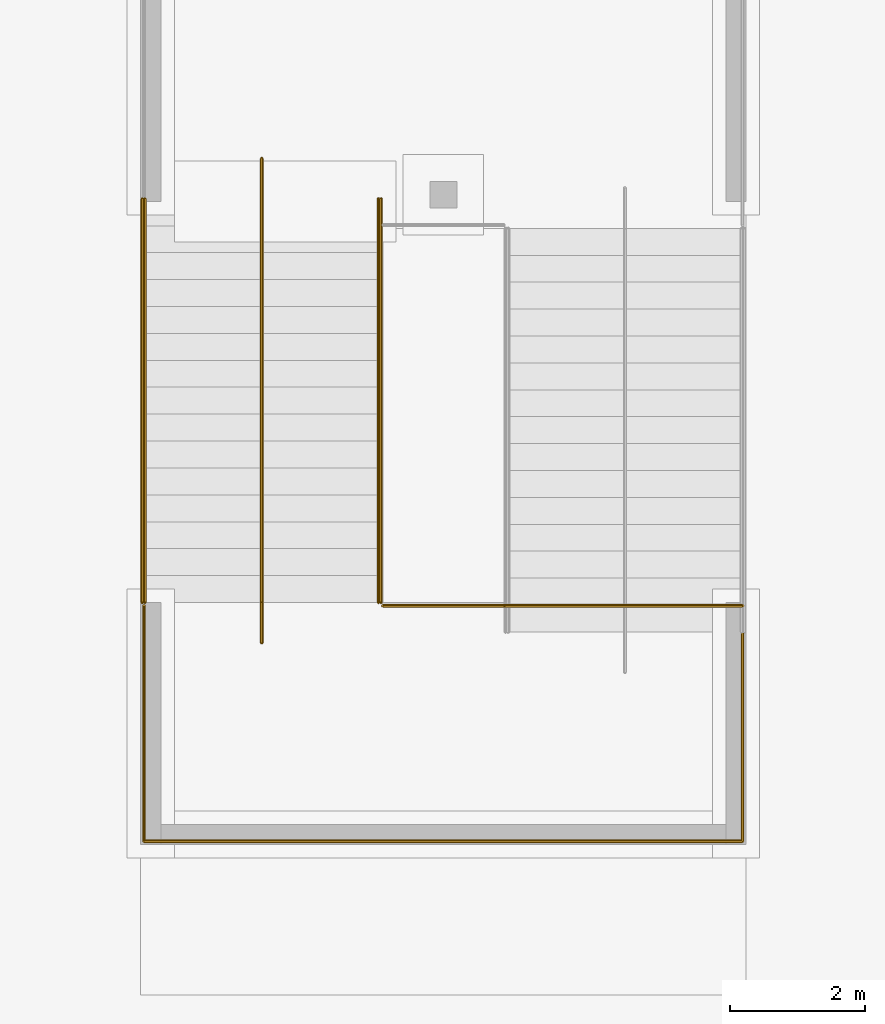
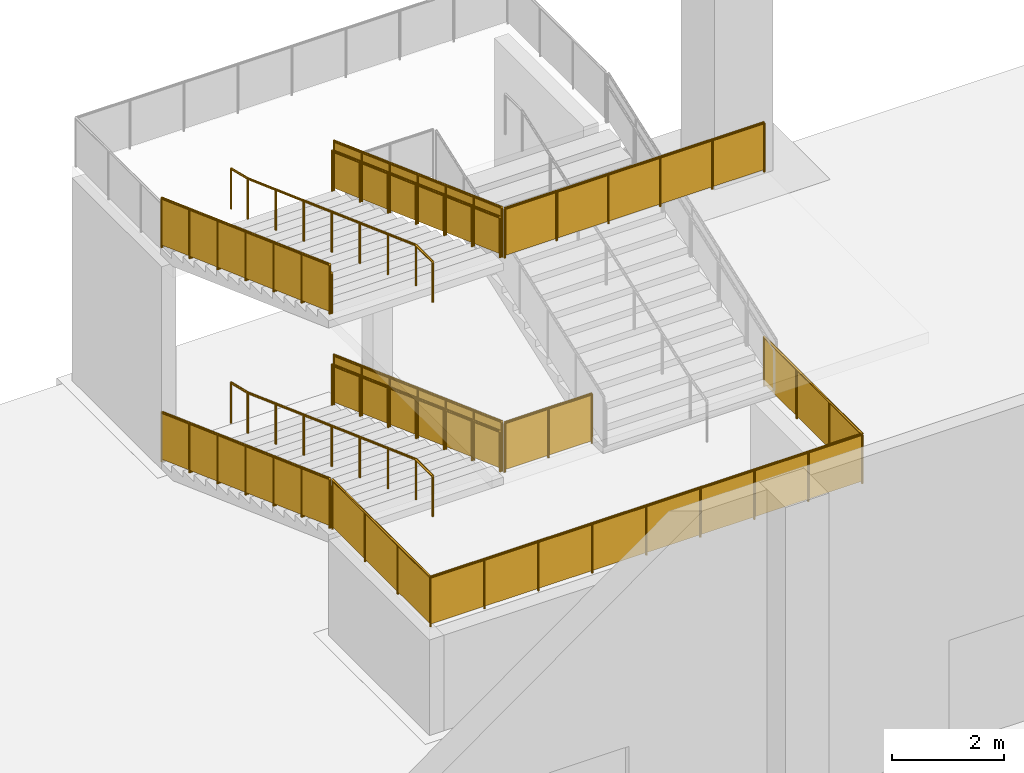
# One storey, part 84 of 92: 13 railings.
"""IFC4 building model written with IfcOpenShell, lengths in metres."""

from ifc_helpers import new_model, si_unit, direction, frame, origin, origin_2d, place, context, subcontext, project, spatial, polyline, circle, outline, extrude, material, type_object, element, save


model = new_model("IFC4")

# Units and contexts
model_context = context("Model", 3, precision=1e-05, world=origin(), true_north=direction((0.0, 1.0)))
body_context = subcontext(model_context, "Body", "Model", "MODEL_VIEW")
ifc_project = project(units=[si_unit("LENGTHUNIT", "METRE"), si_unit("AREAUNIT", "SQUARE_METRE"), si_unit("VOLUMEUNIT", "CUBIC_METRE"), si_unit("PLANEANGLEUNIT", "RADIAN"), si_unit("MASSUNIT", "GRAM", prefix="KILO")], contexts=[model_context])

# Site, building, storey
site_placement = place(None, origin())
site = spatial("IfcSite", under=ifc_project, at=site_placement, CompositionType="ELEMENT")
building_placement = place(site_placement, origin())
building = spatial("IfcBuilding", under=site, at=building_placement, Name="Silverbay Arena", CompositionType="ELEMENT")
storey_placement = place(building_placement, origin())
storey = spatial("IfcBuildingStorey", under=building, at=storey_placement, Name="L00", CompositionType="ELEMENT", Elevation=0.0)

# Railings
ifc_material_1 = material(Name="Stainless steel", Category="steel")
railing_type_1 = type_object("IfcRailingType", Name="Stair guard 1100", PredefinedType="GUARDRAIL", material=ifc_material_1)
railing_1_placement = place(storey_placement, frame((40.52490234375, 158.837890625, 0.145751953125)))
element("IfcRailing", 1, at=railing_1_placement, inside=storey, type_object=railing_type_1, Name="Deck stair DS4 flight 1 guard left", PredefinedType="GUARDRAIL", context=body_context, shape_type="SweptSolid", body=[
    extrude(circle(Radius=0.02392578125, at=origin_2d()), frame((0.0, 0.0, 1.076171875), z_axis=(0.0, -0.939507356738, 0.342528723811), x_axis=(1.0, 0.0, 0.0)), (0.0, 0.0, 1.0), 6.38623046875),
    extrude(outline(polyline([(-0.008056640625, 0.047119140625), (1.008056640625, 0.41748046875), (1.008056640625, 1.42041015625), (-0.008056640625, 1.050048828125), (-0.008056640625, 0.047119140625)])), frame((0.0029296875, 0.0, 0.0), z_axis=(-1.0, 0.0, 0.0), x_axis=(0.0, -1.0, 0.0)), (0.0, 0.0, 1.0), 0.006103515625),
    extrude(outline(polyline([(-0.008056640625, 0.41162109375), (1.008056640625, 0.781982421875), (1.008056640625, 1.78515625), (-0.008056640625, 1.41455078125), (-0.008056640625, 0.41162109375)])), frame((0.0029296875, -1.0, 0.0), z_axis=(-1.0, 0.0, 0.0), x_axis=(0.0, -1.0, 0.0)), (0.0, 0.0, 1.0), 0.006103515625),
    extrude(outline(polyline([(-0.008056640625, 0.7763671875), (1.008056640625, 1.146728515625), (1.008056640625, 2.149658203125), (-0.008056640625, 1.779296875), (-0.008056640625, 0.7763671875)])), frame((0.0029296875, -2.0, 0.0), z_axis=(-1.0, 0.0, 0.0), x_axis=(0.0, -1.0, 0.0)), (0.0, 0.0, 1.0), 0.006103515625),
    extrude(outline(polyline([(-0.008056640625, 1.140869140625), (1.008056640625, 1.51123046875), (1.008056640625, 2.51416015625), (-0.008056640625, 2.143798828125), (-0.008056640625, 1.140869140625)])), frame((0.0029296875, -3.0, 0.0), z_axis=(-1.0, 0.0, 0.0), x_axis=(0.0, -1.0, 0.0)), (0.0, 0.0, 1.0), 0.006103515625),
    extrude(outline(polyline([(-0.008056640625, 1.50537109375), (1.008056640625, 1.875732421875), (1.008056640625, 2.87890625), (-0.008056640625, 2.50830078125), (-0.008056640625, 1.50537109375)])), frame((0.0029296875, -4.0, 0.0), z_axis=(-1.0, 0.0, 0.0), x_axis=(0.0, -1.0, 0.0)), (0.0, 0.0, 1.0), 0.006103515625),
    extrude(outline(polyline([(-0.008056640625, 1.8701171875), (1.008056640625, 2.240478515625), (1.008056640625, 3.243408203125), (-0.008056640625, 2.873046875), (-0.008056640625, 1.8701171875)])), frame((0.0029296875, -5.0, 0.0), z_axis=(-1.0, 0.0, 0.0), x_axis=(0.0, -1.0, 0.0)), (0.0, 0.0, 1.0), 0.006103515625),
    extrude(circle(Radius=0.02099609375, at=origin_2d()), origin(), (0.0, 0.0, 1.0), 1.052001953125),
    extrude(circle(Radius=0.02099609375, at=origin_2d()), frame((0.0, -1.0, 0.364501953125)), (0.0, 0.0, 1.0), 1.052001953125),
    extrude(circle(Radius=0.02099609375, at=origin_2d()), frame((0.0, -2.0, 0.729248046875)), (0.0, 0.0, 1.0), 1.052001953125),
    extrude(circle(Radius=0.02099609375, at=origin_2d()), frame((0.0, -3.0, 1.09375)), (0.0, 0.0, 1.0), 1.052001953125),
    extrude(circle(Radius=0.02099609375, at=origin_2d()), frame((0.0, -4.0, 1.458251953125)), (0.0, 0.0, 1.0), 1.052001953125),
    extrude(circle(Radius=0.02099609375, at=origin_2d()), frame((0.0, -5.0, 1.822998046875)), (0.0, 0.0, 1.0), 1.052001953125),
    extrude(circle(Radius=0.02099609375, at=origin_2d()), frame((0.0, -6.0, 2.1875)), (0.0, 0.0, 1.0), 1.052001953125),
])
railing_2_placement = place(storey_placement, frame((44.074951171875, 158.837890625, 0.145751953125)))
element("IfcRailing", 2, at=railing_2_placement, inside=storey, type_object=railing_type_1, Name="Deck stair DS4 flight 1 guard right", PredefinedType="GUARDRAIL", context=body_context, shape_type="SweptSolid", body=[
    extrude(circle(Radius=0.02392578125, at=origin_2d()), frame((0.0, 0.0, 1.076171875), z_axis=(0.0, -0.939507356738, 0.342528723811), x_axis=(1.0, 0.0, 0.0)), (0.0, 0.0, 1.0), 6.38623046875),
    extrude(outline(polyline([(-0.008056640625, 0.047119140625), (1.008056640625, 0.41748046875), (1.008056640625, 1.42041015625), (-0.008056640625, 1.050048828125), (-0.008056640625, 0.047119140625)])), frame((0.0029296875, 0.0, 0.0), z_axis=(-1.0, 0.0, 0.0), x_axis=(0.0, -1.0, 0.0)), (0.0, 0.0, 1.0), 0.006103515625),
    extrude(outline(polyline([(-0.008056640625, 0.41162109375), (1.008056640625, 0.781982421875), (1.008056640625, 1.78515625), (-0.008056640625, 1.41455078125), (-0.008056640625, 0.41162109375)])), frame((0.0029296875, -1.0, 0.0), z_axis=(-1.0, 0.0, 0.0), x_axis=(0.0, -1.0, 0.0)), (0.0, 0.0, 1.0), 0.006103515625),
    extrude(outline(polyline([(-0.008056640625, 0.7763671875), (1.008056640625, 1.146728515625), (1.008056640625, 2.149658203125), (-0.008056640625, 1.779296875), (-0.008056640625, 0.7763671875)])), frame((0.0029296875, -2.0, 0.0), z_axis=(-1.0, 0.0, 0.0), x_axis=(0.0, -1.0, 0.0)), (0.0, 0.0, 1.0), 0.006103515625),
    extrude(outline(polyline([(-0.008056640625, 1.140869140625), (1.008056640625, 1.51123046875), (1.008056640625, 2.51416015625), (-0.008056640625, 2.143798828125), (-0.008056640625, 1.140869140625)])), frame((0.0029296875, -3.0, 0.0), z_axis=(-1.0, 0.0, 0.0), x_axis=(0.0, -1.0, 0.0)), (0.0, 0.0, 1.0), 0.006103515625),
    extrude(outline(polyline([(-0.008056640625, 1.50537109375), (1.008056640625, 1.875732421875), (1.008056640625, 2.87890625), (-0.008056640625, 2.50830078125), (-0.008056640625, 1.50537109375)])), frame((0.0029296875, -4.0, 0.0), z_axis=(-1.0, 0.0, 0.0), x_axis=(0.0, -1.0, 0.0)), (0.0, 0.0, 1.0), 0.006103515625),
    extrude(outline(polyline([(-0.008056640625, 1.8701171875), (1.008056640625, 2.240478515625), (1.008056640625, 3.243408203125), (-0.008056640625, 2.873046875), (-0.008056640625, 1.8701171875)])), frame((0.0029296875, -5.0, 0.0), z_axis=(-1.0, 0.0, 0.0), x_axis=(0.0, -1.0, 0.0)), (0.0, 0.0, 1.0), 0.006103515625),
    extrude(circle(Radius=0.02099609375, at=origin_2d()), origin(), (0.0, 0.0, 1.0), 1.052001953125),
    extrude(circle(Radius=0.02099609375, at=origin_2d()), frame((0.0, -1.0, 0.364501953125)), (0.0, 0.0, 1.0), 1.052001953125),
    extrude(circle(Radius=0.02099609375, at=origin_2d()), frame((0.0, -2.0, 0.729248046875)), (0.0, 0.0, 1.0), 1.052001953125),
    extrude(circle(Radius=0.02099609375, at=origin_2d()), frame((0.0, -3.0, 1.09375)), (0.0, 0.0, 1.0), 1.052001953125),
    extrude(circle(Radius=0.02099609375, at=origin_2d()), frame((0.0, -4.0, 1.458251953125)), (0.0, 0.0, 1.0), 1.052001953125),
    extrude(circle(Radius=0.02099609375, at=origin_2d()), frame((0.0, -5.0, 1.822998046875)), (0.0, 0.0, 1.0), 1.052001953125),
    extrude(circle(Radius=0.02099609375, at=origin_2d()), frame((0.0, -6.0, 2.1875)), (0.0, 0.0, 1.0), 1.052001953125),
])
railing_3_placement = place(storey_placement, frame((40.52490234375, 158.837890625, 4.8125)))
element("IfcRailing", 3, at=railing_3_placement, inside=storey, type_object=railing_type_1, Name="Deck stair DS4 flight 3 guard left", PredefinedType="GUARDRAIL", context=body_context, shape_type="SweptSolid", body=[
    extrude(circle(Radius=0.02392578125, at=origin_2d()), frame((0.0, 0.0, 1.076171875), z_axis=(0.0, -0.939507356738, 0.342528723811), x_axis=(1.0, 0.0, 0.0)), (0.0, 0.0, 1.0), 6.38623046875),
    extrude(outline(polyline([(-0.008056640625, 0.047119140625), (1.008056640625, 0.41748046875), (1.008056640625, 1.42041015625), (-0.008056640625, 1.050048828125), (-0.008056640625, 0.047119140625)])), frame((0.0029296875, 0.0, 0.0), z_axis=(-1.0, 0.0, 0.0), x_axis=(0.0, -1.0, 0.0)), (0.0, 0.0, 1.0), 0.006103515625),
    extrude(outline(polyline([(-0.008056640625, 0.41162109375), (1.008056640625, 0.781982421875), (1.008056640625, 1.78515625), (-0.008056640625, 1.41455078125), (-0.008056640625, 0.41162109375)])), frame((0.0029296875, -1.0, 0.0), z_axis=(-1.0, 0.0, 0.0), x_axis=(0.0, -1.0, 0.0)), (0.0, 0.0, 1.0), 0.006103515625),
    extrude(outline(polyline([(-0.008056640625, 0.7763671875), (1.008056640625, 1.146728515625), (1.008056640625, 2.149658203125), (-0.008056640625, 1.779296875), (-0.008056640625, 0.7763671875)])), frame((0.0029296875, -2.0, 0.0), z_axis=(-1.0, 0.0, 0.0), x_axis=(0.0, -1.0, 0.0)), (0.0, 0.0, 1.0), 0.006103515625),
    extrude(outline(polyline([(-0.008056640625, 1.140869140625), (1.008056640625, 1.51123046875), (1.008056640625, 2.51416015625), (-0.008056640625, 2.143798828125), (-0.008056640625, 1.140869140625)])), frame((0.0029296875, -3.0, 0.0), z_axis=(-1.0, 0.0, 0.0), x_axis=(0.0, -1.0, 0.0)), (0.0, 0.0, 1.0), 0.006103515625),
    extrude(outline(polyline([(-0.008056640625, 1.50537109375), (1.008056640625, 1.875732421875), (1.008056640625, 2.87890625), (-0.008056640625, 2.50830078125), (-0.008056640625, 1.50537109375)])), frame((0.0029296875, -4.0, 0.0), z_axis=(-1.0, 0.0, 0.0), x_axis=(0.0, -1.0, 0.0)), (0.0, 0.0, 1.0), 0.006103515625),
    extrude(outline(polyline([(-0.008056640625, 1.8701171875), (1.008056640625, 2.240478515625), (1.008056640625, 3.243408203125), (-0.008056640625, 2.873046875), (-0.008056640625, 1.8701171875)])), frame((0.0029296875, -5.0, 0.0), z_axis=(-1.0, 0.0, 0.0), x_axis=(0.0, -1.0, 0.0)), (0.0, 0.0, 1.0), 0.006103515625),
    extrude(circle(Radius=0.02099609375, at=origin_2d()), origin(), (0.0, 0.0, 1.0), 1.052001953125),
    extrude(circle(Radius=0.02099609375, at=origin_2d()), frame((0.0, -1.0, 0.364501953125)), (0.0, 0.0, 1.0), 1.052001953125),
    extrude(circle(Radius=0.02099609375, at=origin_2d()), frame((0.0, -2.0, 0.729248046875)), (0.0, 0.0, 1.0), 1.052001953125),
    extrude(circle(Radius=0.02099609375, at=origin_2d()), frame((0.0, -3.0, 1.09375)), (0.0, 0.0, 1.0), 1.052001953125),
    extrude(circle(Radius=0.02099609375, at=origin_2d()), frame((0.0, -4.0, 1.458251953125)), (0.0, 0.0, 1.0), 1.052001953125),
    extrude(circle(Radius=0.02099609375, at=origin_2d()), frame((0.0, -5.0, 1.822998046875)), (0.0, 0.0, 1.0), 1.052001953125),
    extrude(circle(Radius=0.02099609375, at=origin_2d()), frame((0.0, -6.0, 2.1875)), (0.0, 0.0, 1.0), 1.052001953125),
])
railing_4_placement = place(storey_placement, frame((44.074951171875, 158.837890625, 4.8125)))
element("IfcRailing", 4, at=railing_4_placement, inside=storey, type_object=railing_type_1, Name="Deck stair DS4 flight 3 guard right", PredefinedType="GUARDRAIL", context=body_context, shape_type="SweptSolid", body=[
    extrude(circle(Radius=0.02392578125, at=origin_2d()), frame((0.0, 0.0, 1.076171875), z_axis=(0.0, -0.939507356738, 0.342528723811), x_axis=(1.0, 0.0, 0.0)), (0.0, 0.0, 1.0), 6.38623046875),
    extrude(outline(polyline([(-0.008056640625, 0.047119140625), (1.008056640625, 0.41748046875), (1.008056640625, 1.42041015625), (-0.008056640625, 1.050048828125), (-0.008056640625, 0.047119140625)])), frame((0.0029296875, 0.0, 0.0), z_axis=(-1.0, 0.0, 0.0), x_axis=(0.0, -1.0, 0.0)), (0.0, 0.0, 1.0), 0.006103515625),
    extrude(outline(polyline([(-0.008056640625, 0.41162109375), (1.008056640625, 0.781982421875), (1.008056640625, 1.78515625), (-0.008056640625, 1.41455078125), (-0.008056640625, 0.41162109375)])), frame((0.0029296875, -1.0, 0.0), z_axis=(-1.0, 0.0, 0.0), x_axis=(0.0, -1.0, 0.0)), (0.0, 0.0, 1.0), 0.006103515625),
    extrude(outline(polyline([(-0.008056640625, 0.7763671875), (1.008056640625, 1.146728515625), (1.008056640625, 2.149658203125), (-0.008056640625, 1.779296875), (-0.008056640625, 0.7763671875)])), frame((0.0029296875, -2.0, 0.0), z_axis=(-1.0, 0.0, 0.0), x_axis=(0.0, -1.0, 0.0)), (0.0, 0.0, 1.0), 0.006103515625),
    extrude(outline(polyline([(-0.008056640625, 1.140869140625), (1.008056640625, 1.51123046875), (1.008056640625, 2.51416015625), (-0.008056640625, 2.143798828125), (-0.008056640625, 1.140869140625)])), frame((0.0029296875, -3.0, 0.0), z_axis=(-1.0, 0.0, 0.0), x_axis=(0.0, -1.0, 0.0)), (0.0, 0.0, 1.0), 0.006103515625),
    extrude(outline(polyline([(-0.008056640625, 1.50537109375), (1.008056640625, 1.875732421875), (1.008056640625, 2.87890625), (-0.008056640625, 2.50830078125), (-0.008056640625, 1.50537109375)])), frame((0.0029296875, -4.0, 0.0), z_axis=(-1.0, 0.0, 0.0), x_axis=(0.0, -1.0, 0.0)), (0.0, 0.0, 1.0), 0.006103515625),
    extrude(outline(polyline([(-0.008056640625, 1.8701171875), (1.008056640625, 2.240478515625), (1.008056640625, 3.243408203125), (-0.008056640625, 2.873046875), (-0.008056640625, 1.8701171875)])), frame((0.0029296875, -5.0, 0.0), z_axis=(-1.0, 0.0, 0.0), x_axis=(0.0, -1.0, 0.0)), (0.0, 0.0, 1.0), 0.006103515625),
    extrude(circle(Radius=0.02099609375, at=origin_2d()), origin(), (0.0, 0.0, 1.0), 1.052001953125),
    extrude(circle(Radius=0.02099609375, at=origin_2d()), frame((0.0, -1.0, 0.364501953125)), (0.0, 0.0, 1.0), 1.052001953125),
    extrude(circle(Radius=0.02099609375, at=origin_2d()), frame((0.0, -2.0, 0.729248046875)), (0.0, 0.0, 1.0), 1.052001953125),
    extrude(circle(Radius=0.02099609375, at=origin_2d()), frame((0.0, -3.0, 1.09375)), (0.0, 0.0, 1.0), 1.052001953125),
    extrude(circle(Radius=0.02099609375, at=origin_2d()), frame((0.0, -4.0, 1.458251953125)), (0.0, 0.0, 1.0), 1.052001953125),
    extrude(circle(Radius=0.02099609375, at=origin_2d()), frame((0.0, -5.0, 1.822998046875)), (0.0, 0.0, 1.0), 1.052001953125),
    extrude(circle(Radius=0.02099609375, at=origin_2d()), frame((0.0, -6.0, 2.1875)), (0.0, 0.0, 1.0), 1.052001953125),
])
railing_5_placement = place(storey_placement, frame((40.550048828125, 152.787841796875, 2.333251953125)))
element("IfcRailing", 5, at=railing_5_placement, inside=storey, type_object=railing_type_1, Name="Deck stair DS4 landing 1 guard", PredefinedType="GUARDRAIL", context=body_context, shape_type="SweptSolid", body=[
    extrude(circle(Radius=0.02392578125, at=origin_2d()), frame((0.0, 0.0, 1.076171875), z_axis=(0.0, -1.0, 0.0), x_axis=(1.0, 0.0, 0.0)), (0.0, 0.0, 1.0), 3.5),
    extrude(outline(polyline([(-0.008056640625, 0.050048828125), (1.174560546875, 0.050048828125), (1.174560546875, 1.052978515625), (-0.008056640625, 1.052978515625), (-0.008056640625, 0.050048828125)])), frame((0.0029296875, 0.0, 0.0), z_axis=(-1.0, 0.0, 0.0), x_axis=(0.0, -1.0, 0.0)), (0.0, 0.0, 1.0), 0.006103515625),
    extrude(outline(polyline([(-0.008056640625, 0.050048828125), (1.174560546875, 0.050048828125), (1.174560546875, 1.052978515625), (-0.008056640625, 1.052978515625), (-0.008056640625, 0.050048828125)])), frame((0.0029296875, -1.166748046875, 0.0), z_axis=(-1.0, 0.0, 0.0), x_axis=(0.0, -1.0, 0.0)), (0.0, 0.0, 1.0), 0.006103515625),
    extrude(outline(polyline([(-0.008056640625, 0.050048828125), (1.174560546875, 0.050048828125), (1.174560546875, 1.052978515625), (-0.008056640625, 1.052978515625), (-0.008056640625, 0.050048828125)])), frame((0.0029296875, -2.333251953125, 0.0), z_axis=(-1.0, 0.0, 0.0), x_axis=(0.0, -1.0, 0.0)), (0.0, 0.0, 1.0), 0.006103515625),
    extrude(circle(Radius=0.02392578125, at=origin_2d()), frame((0.0, -3.5, 1.076171875), z_axis=(1.0, 0.0, 0.0), x_axis=(0.0, 1.0, 0.0)), (0.0, 0.0, 1.0), 8.89990234375),
    extrude(outline(polyline([(-0.008056640625, 0.050048828125), (1.12060546875, 0.050048828125), (1.12060546875, 1.052978515625), (-0.008056640625, 1.052978515625), (-0.008056640625, 0.050048828125)])), frame((0.0, -3.4970703125, 0.0), z_axis=(0.0, -1.0, 0.0), x_axis=(1.0, 0.0, 0.0)), (0.0, 0.0, 1.0), 0.006103515625),
    extrude(outline(polyline([(-0.008056640625, 0.050048828125), (1.12060546875, 0.050048828125), (1.12060546875, 1.052978515625), (-0.008056640625, 1.052978515625), (-0.008056640625, 0.050048828125)])), frame((1.112548828125, -3.4970703125, 0.0), z_axis=(0.0, -1.0, 0.0), x_axis=(1.0, 0.0, 0.0)), (0.0, 0.0, 1.0), 0.006103515625),
    extrude(outline(polyline([(-0.008056640625, 0.050048828125), (1.12060546875, 0.050048828125), (1.12060546875, 1.052978515625), (-0.008056640625, 1.052978515625), (-0.008056640625, 0.050048828125)])), frame((2.22509765625, -3.4970703125, 0.0), z_axis=(0.0, -1.0, 0.0), x_axis=(1.0, 0.0, 0.0)), (0.0, 0.0, 1.0), 0.006103515625),
    extrude(outline(polyline([(-0.008056640625, 0.050048828125), (1.12060546875, 0.050048828125), (1.12060546875, 1.052978515625), (-0.008056640625, 1.052978515625), (-0.008056640625, 0.050048828125)])), frame((3.33740234375, -3.4970703125, 0.0), z_axis=(0.0, -1.0, 0.0), x_axis=(1.0, 0.0, 0.0)), (0.0, 0.0, 1.0), 0.006103515625),
    extrude(outline(polyline([(-0.008056640625, 0.050048828125), (1.12060546875, 0.050048828125), (1.12060546875, 1.052978515625), (-0.008056640625, 1.052978515625), (-0.008056640625, 0.050048828125)])), frame((4.449951171875, -3.4970703125, 0.0), z_axis=(0.0, -1.0, 0.0), x_axis=(1.0, 0.0, 0.0)), (0.0, 0.0, 1.0), 0.006103515625),
    extrude(outline(polyline([(-0.008056640625, 0.050048828125), (1.12060546875, 0.050048828125), (1.12060546875, 1.052978515625), (-0.008056640625, 1.052978515625), (-0.008056640625, 0.050048828125)])), frame((5.5625, -3.4970703125, 0.0), z_axis=(0.0, -1.0, 0.0), x_axis=(1.0, 0.0, 0.0)), (0.0, 0.0, 1.0), 0.006103515625),
    extrude(outline(polyline([(-0.008056640625, 0.050048828125), (1.12060546875, 0.050048828125), (1.12060546875, 1.052978515625), (-0.008056640625, 1.052978515625), (-0.008056640625, 0.050048828125)])), frame((6.6748046875, -3.4970703125, 0.0), z_axis=(0.0, -1.0, 0.0), x_axis=(1.0, 0.0, 0.0)), (0.0, 0.0, 1.0), 0.006103515625),
    extrude(outline(polyline([(-0.008056640625, 0.050048828125), (1.12060546875, 0.050048828125), (1.12060546875, 1.052978515625), (-0.008056640625, 1.052978515625), (-0.008056640625, 0.050048828125)])), frame((7.787353515625, -3.4970703125, 0.0), z_axis=(0.0, -1.0, 0.0), x_axis=(1.0, 0.0, 0.0)), (0.0, 0.0, 1.0), 0.006103515625),
    extrude(circle(Radius=0.02392578125, at=origin_2d()), frame((8.89990234375, -3.5, 1.076171875), z_axis=(0.0, 1.0, 0.0), x_axis=(-1.0, 0.0, 0.0)), (0.0, 0.0, 1.0), 3.5),
    extrude(outline(polyline([(-0.008056640625, 0.050048828125), (1.174560546875, 0.050048828125), (1.174560546875, 1.052978515625), (-0.008056640625, 1.052978515625), (-0.008056640625, 0.050048828125)])), frame((8.89697265625, -3.5, 0.0), z_axis=(1.0, 0.0, 0.0), x_axis=(0.0, 1.0, 0.0)), (0.0, 0.0, 1.0), 0.006103515625),
    extrude(outline(polyline([(-0.008056640625, 0.050048828125), (1.174560546875, 0.050048828125), (1.174560546875, 1.052978515625), (-0.008056640625, 1.052978515625), (-0.008056640625, 0.050048828125)])), frame((8.89697265625, -2.333251953125, 0.0), z_axis=(1.0, 0.0, 0.0), x_axis=(0.0, 1.0, 0.0)), (0.0, 0.0, 1.0), 0.006103515625),
    extrude(outline(polyline([(-0.008056640625, 0.050048828125), (1.174560546875, 0.050048828125), (1.174560546875, 1.052978515625), (-0.008056640625, 1.052978515625), (-0.008056640625, 0.050048828125)])), frame((8.89697265625, -1.166748046875, 0.0), z_axis=(1.0, 0.0, 0.0), x_axis=(0.0, 1.0, 0.0)), (0.0, 0.0, 1.0), 0.006103515625),
    extrude(circle(Radius=0.02099609375, at=origin_2d()), origin(), (0.0, 0.0, 1.0), 1.052001953125),
    extrude(circle(Radius=0.02099609375, at=origin_2d()), frame((0.0, -1.166748046875, 0.0)), (0.0, 0.0, 1.0), 1.052001953125),
    extrude(circle(Radius=0.02099609375, at=origin_2d()), frame((0.0, -2.333251953125, 0.0)), (0.0, 0.0, 1.0), 1.052001953125),
    extrude(circle(Radius=0.02099609375, at=origin_2d()), frame((0.0, -3.5, 0.0)), (0.0, 0.0, 1.0), 1.052001953125),
    extrude(circle(Radius=0.02099609375, at=origin_2d()), frame((1.112548828125, -3.5, 0.0)), (0.0, 0.0, 1.0), 1.052001953125),
    extrude(circle(Radius=0.02099609375, at=origin_2d()), frame((2.22509765625, -3.5, 0.0)), (0.0, 0.0, 1.0), 1.052001953125),
    extrude(circle(Radius=0.02099609375, at=origin_2d()), frame((3.33740234375, -3.5, 0.0)), (0.0, 0.0, 1.0), 1.052001953125),
    extrude(circle(Radius=0.02099609375, at=origin_2d()), frame((4.449951171875, -3.5, 0.0)), (0.0, 0.0, 1.0), 1.052001953125),
    extrude(circle(Radius=0.02099609375, at=origin_2d()), frame((5.5625, -3.5, 0.0)), (0.0, 0.0, 1.0), 1.052001953125),
    extrude(circle(Radius=0.02099609375, at=origin_2d()), frame((6.6748046875, -3.5, 0.0)), (0.0, 0.0, 1.0), 1.052001953125),
    extrude(circle(Radius=0.02099609375, at=origin_2d()), frame((7.787353515625, -3.5, 0.0)), (0.0, 0.0, 1.0), 1.052001953125),
    extrude(circle(Radius=0.02099609375, at=origin_2d()), frame((8.89990234375, -3.5, 0.0)), (0.0, 0.0, 1.0), 1.052001953125),
    extrude(circle(Radius=0.02099609375, at=origin_2d()), frame((8.89990234375, -2.333251953125, 0.0)), (0.0, 0.0, 1.0), 1.052001953125),
    extrude(circle(Radius=0.02099609375, at=origin_2d()), frame((8.89990234375, -1.166748046875, 0.0)), (0.0, 0.0, 1.0), 1.052001953125),
    extrude(circle(Radius=0.02099609375, at=origin_2d()), frame((8.89990234375, 0.0, 0.0)), (0.0, 0.0, 1.0), 1.052001953125),
])
railing_6_placement = place(storey_placement, frame((44.10009765625, 152.787841796875, 2.333251953125)))
element("IfcRailing", 6, at=railing_6_placement, inside=storey, type_object=railing_type_1, Name="Deck stair DS4 landing 1 guard", PredefinedType="GUARDRAIL", context=body_context, shape_type="SweptSolid", body=[
    extrude(circle(Radius=0.02392578125, at=origin_2d()), frame((0.0, 0.0, 1.076171875), z_axis=(1.0, 0.0, 0.0), x_axis=(0.0, 1.0, 0.0)), (0.0, 0.0, 1.0), 1.7998046875),
    extrude(outline(polyline([(-0.008056640625, 0.050048828125), (0.907958984375, 0.050048828125), (0.907958984375, 1.052978515625), (-0.008056640625, 1.052978515625), (-0.008056640625, 0.050048828125)])), frame((0.0, 0.0029296875, 0.0), z_axis=(0.0, -1.0, 0.0), x_axis=(1.0, 0.0, 0.0)), (0.0, 0.0, 1.0), 0.006103515625),
    extrude(outline(polyline([(-0.008056640625, 0.050048828125), (0.907958984375, 0.050048828125), (0.907958984375, 1.052978515625), (-0.008056640625, 1.052978515625), (-0.008056640625, 0.050048828125)])), frame((0.89990234375, 0.0029296875, 0.0), z_axis=(0.0, -1.0, 0.0), x_axis=(1.0, 0.0, 0.0)), (0.0, 0.0, 1.0), 0.006103515625),
    extrude(circle(Radius=0.02099609375, at=origin_2d()), origin(), (0.0, 0.0, 1.0), 1.052001953125),
    extrude(circle(Radius=0.02099609375, at=origin_2d()), frame((0.89990234375, 0.0, 0.0)), (0.0, 0.0, 1.0), 1.052001953125),
    extrude(circle(Radius=0.02099609375, at=origin_2d()), frame((1.7998046875, 0.0, 0.0)), (0.0, 0.0, 1.0), 1.052001953125),
])
railing_7_placement = place(storey_placement, frame((44.10009765625, 152.787841796875, 7.0)))
element("IfcRailing", 7, at=railing_7_placement, inside=storey, type_object=railing_type_1, Name="Deck stair DS4 landing 3 guard", PredefinedType="GUARDRAIL", context=body_context, shape_type="SweptSolid", body=[
    extrude(circle(Radius=0.02392578125, at=origin_2d()), frame((0.0, 0.0, 1.076171875), z_axis=(1.0, 0.0, 0.0), x_axis=(0.0, 1.0, 0.0)), (0.0, 0.0, 1.0), 5.349853515625),
    extrude(outline(polyline([(-0.008056640625, 0.050048828125), (1.077880859375, 0.050048828125), (1.077880859375, 1.052978515625), (-0.008056640625, 1.052978515625), (-0.008056640625, 0.050048828125)])), frame((0.0, 0.0029296875, 0.0), z_axis=(0.0, -1.0, 0.0), x_axis=(1.0, 0.0, 0.0)), (0.0, 0.0, 1.0), 0.006103515625),
    extrude(outline(polyline([(-0.008056640625, 0.050048828125), (1.077880859375, 0.050048828125), (1.077880859375, 1.052978515625), (-0.008056640625, 1.052978515625), (-0.008056640625, 0.050048828125)])), frame((1.070068359375, 0.0029296875, 0.0), z_axis=(0.0, -1.0, 0.0), x_axis=(1.0, 0.0, 0.0)), (0.0, 0.0, 1.0), 0.006103515625),
    extrude(outline(polyline([(-0.008056640625, 0.050048828125), (1.077880859375, 0.050048828125), (1.077880859375, 1.052978515625), (-0.008056640625, 1.052978515625), (-0.008056640625, 0.050048828125)])), frame((2.139892578125, 0.0029296875, 0.0), z_axis=(0.0, -1.0, 0.0), x_axis=(1.0, 0.0, 0.0)), (0.0, 0.0, 1.0), 0.006103515625),
    extrude(outline(polyline([(-0.008056640625, 0.050048828125), (1.077880859375, 0.050048828125), (1.077880859375, 1.052978515625), (-0.008056640625, 1.052978515625), (-0.008056640625, 0.050048828125)])), frame((3.2099609375, 0.0029296875, 0.0), z_axis=(0.0, -1.0, 0.0), x_axis=(1.0, 0.0, 0.0)), (0.0, 0.0, 1.0), 0.006103515625),
    extrude(outline(polyline([(-0.008056640625, 0.050048828125), (1.077880859375, 0.050048828125), (1.077880859375, 1.052978515625), (-0.008056640625, 1.052978515625), (-0.008056640625, 0.050048828125)])), frame((4.27978515625, 0.0029296875, 0.0), z_axis=(0.0, -1.0, 0.0), x_axis=(1.0, 0.0, 0.0)), (0.0, 0.0, 1.0), 0.006103515625),
    extrude(circle(Radius=0.02099609375, at=origin_2d()), origin(), (0.0, 0.0, 1.0), 1.052001953125),
    extrude(circle(Radius=0.02099609375, at=origin_2d()), frame((1.070068359375, 0.0, 0.0)), (0.0, 0.0, 1.0), 1.052001953125),
    extrude(circle(Radius=0.02099609375, at=origin_2d()), frame((2.139892578125, 0.0, 0.0)), (0.0, 0.0, 1.0), 1.052001953125),
    extrude(circle(Radius=0.02099609375, at=origin_2d()), frame((3.2099609375, 0.0, 0.0)), (0.0, 0.0, 1.0), 1.052001953125),
    extrude(circle(Radius=0.02099609375, at=origin_2d()), frame((4.27978515625, 0.0, 0.0)), (0.0, 0.0, 1.0), 1.052001953125),
    extrude(circle(Radius=0.02099609375, at=origin_2d()), frame((5.349853515625, 0.0, 0.0)), (0.0, 0.0, 1.0), 1.052001953125),
])
ifc_material_2 = material(Name="Stainless steel", Category="steel")
railing_type_2 = type_object("IfcRailingType", Name="Stair handrail 900", PredefinedType="HANDRAIL", material=ifc_material_2)
for number, where, name in (
    (8, (40.56396484375, 158.837890625, 0.145751953125), "Deck stair DS4 flight 1 handrail left"),
    (9, (44.035888671875, 158.837890625, 0.145751953125), "Deck stair DS4 flight 1 handrail right"),
):
    element("IfcRailing", number, at=place(storey_placement, frame(where)), inside=storey, type_object=railing_type_2, Name=name, PredefinedType="HANDRAIL", context=body_context, shape_type="SweptSolid", body=[
        extrude(circle(Radius=0.02392578125, at=origin_2d()), frame((0.0, 0.0, 0.8759765625), z_axis=(0.0, -0.939507356738, 0.342528723811), x_axis=(1.0, 0.0, 0.0)), (0.0, 0.0, 1.0), 6.38623046875),
        extrude(circle(Radius=0.02099609375, at=origin_2d()), origin(), (0.0, 0.0, 1.0), 0.851806640625),
        extrude(circle(Radius=0.02099609375, at=origin_2d()), frame((0.0, -1.0, 0.364501953125)), (0.0, 0.0, 1.0), 0.851806640625),
        extrude(circle(Radius=0.02099609375, at=origin_2d()), frame((0.0, -2.0, 0.729248046875)), (0.0, 0.0, 1.0), 0.851806640625),
        extrude(circle(Radius=0.02099609375, at=origin_2d()), frame((0.0, -3.0, 1.09375)), (0.0, 0.0, 1.0), 0.851806640625),
        extrude(circle(Radius=0.02099609375, at=origin_2d()), frame((0.0, -4.0, 1.458251953125)), (0.0, 0.0, 1.0), 0.851806640625),
        extrude(circle(Radius=0.02099609375, at=origin_2d()), frame((0.0, -5.0, 1.822998046875)), (0.0, 0.0, 1.0), 0.851806640625),
        extrude(circle(Radius=0.02099609375, at=origin_2d()), frame((0.0, -6.0, 2.1875)), (0.0, 0.0, 1.0), 0.851806640625),
    ])
railing_8_placement = place(storey_placement, frame((42.300048828125, 159.43798828125, 0.0)))
element("IfcRailing", 10, at=railing_8_placement, inside=storey, type_object=railing_type_2, Name="Deck stair DS4 flight 1 central handrail", PredefinedType="HANDRAIL", context=body_context, shape_type="SweptSolid", body=[
    extrude(circle(Radius=0.02392578125, at=origin_2d()), frame((0.0, 0.0, 0.8759765625), z_axis=(0.0, -0.971748522905, 0.236018660771), x_axis=(1.0, 0.0, 0.0)), (0.0, 0.0, 1.0), 0.617431640625),
    extrude(circle(Radius=0.02392578125, at=origin_2d()), frame((0.0, -0.60009765625, 1.021484375), z_axis=(0.0, -0.939507356738, 0.342528723811), x_axis=(1.0, 0.0, 0.0)), (0.0, 0.0, 1.0), 6.38623046875),
    extrude(circle(Radius=0.02392578125, at=origin_2d()), frame((0.0, -6.60009765625, 3.208984375), z_axis=(0.0, -1.0, 0.0), x_axis=(1.0, 0.0, 0.0)), (0.0, 0.0, 1.0), 0.599853515625),
    extrude(circle(Radius=0.02099609375, at=origin_2d()), origin(), (0.0, 0.0, 1.0), 0.851806640625),
    extrude(circle(Radius=0.02099609375, at=origin_2d()), frame((0.0, -0.60009765625, 0.145751953125)), (0.0, 0.0, 1.0), 0.851806640625),
    extrude(circle(Radius=0.02099609375, at=origin_2d()), frame((0.0, -1.60009765625, 0.51025390625)), (0.0, 0.0, 1.0), 0.851806640625),
    extrude(circle(Radius=0.02099609375, at=origin_2d()), frame((0.0, -2.60009765625, 0.875)), (0.0, 0.0, 1.0), 0.851806640625),
    extrude(circle(Radius=0.02099609375, at=origin_2d()), frame((0.0, -3.60009765625, 1.239501953125)), (0.0, 0.0, 1.0), 0.851806640625),
    extrude(circle(Radius=0.02099609375, at=origin_2d()), frame((0.0, -4.60009765625, 1.60400390625)), (0.0, 0.0, 1.0), 0.851806640625),
    extrude(circle(Radius=0.02099609375, at=origin_2d()), frame((0.0, -5.60009765625, 1.96875)), (0.0, 0.0, 1.0), 0.851806640625),
    extrude(circle(Radius=0.02099609375, at=origin_2d()), frame((0.0, -6.60009765625, 2.333251953125)), (0.0, 0.0, 1.0), 0.851806640625),
    extrude(circle(Radius=0.02099609375, at=origin_2d()), frame((0.0, -7.199951171875, 2.333251953125)), (0.0, 0.0, 1.0), 0.851806640625),
])
for number, where, name in (
    (11, (40.56396484375, 158.837890625, 4.8125), "Deck stair DS4 flight 3 handrail left"),
    (12, (44.035888671875, 158.837890625, 4.8125), "Deck stair DS4 flight 3 handrail right"),
):
    element("IfcRailing", number, at=place(storey_placement, frame(where)), inside=storey, type_object=railing_type_2, Name=name, PredefinedType="HANDRAIL", context=body_context, shape_type="SweptSolid", body=[
        extrude(circle(Radius=0.02392578125, at=origin_2d()), frame((0.0, 0.0, 0.8759765625), z_axis=(0.0, -0.939507356738, 0.342528723811), x_axis=(1.0, 0.0, 0.0)), (0.0, 0.0, 1.0), 6.38623046875),
        extrude(circle(Radius=0.02099609375, at=origin_2d()), origin(), (0.0, 0.0, 1.0), 0.851806640625),
        extrude(circle(Radius=0.02099609375, at=origin_2d()), frame((0.0, -1.0, 0.364501953125)), (0.0, 0.0, 1.0), 0.851806640625),
        extrude(circle(Radius=0.02099609375, at=origin_2d()), frame((0.0, -2.0, 0.729248046875)), (0.0, 0.0, 1.0), 0.851806640625),
        extrude(circle(Radius=0.02099609375, at=origin_2d()), frame((0.0, -3.0, 1.09375)), (0.0, 0.0, 1.0), 0.851806640625),
        extrude(circle(Radius=0.02099609375, at=origin_2d()), frame((0.0, -4.0, 1.458251953125)), (0.0, 0.0, 1.0), 0.851806640625),
        extrude(circle(Radius=0.02099609375, at=origin_2d()), frame((0.0, -5.0, 1.822998046875)), (0.0, 0.0, 1.0), 0.851806640625),
        extrude(circle(Radius=0.02099609375, at=origin_2d()), frame((0.0, -6.0, 2.1875)), (0.0, 0.0, 1.0), 0.851806640625),
    ])
railing_9_placement = place(storey_placement, frame((42.300048828125, 159.43798828125, 4.666748046875)))
element("IfcRailing", 13, at=railing_9_placement, inside=storey, type_object=railing_type_2, Name="Deck stair DS4 flight 3 central handrail", PredefinedType="HANDRAIL", context=body_context, shape_type="SweptSolid", body=[
    extrude(circle(Radius=0.02392578125, at=origin_2d()), frame((0.0, 0.0, 0.8759765625), z_axis=(0.0, -0.971748522905, 0.236018660771), x_axis=(1.0, 0.0, 0.0)), (0.0, 0.0, 1.0), 0.617431640625),
    extrude(circle(Radius=0.02392578125, at=origin_2d()), frame((0.0, -0.60009765625, 1.021484375), z_axis=(0.0, -0.939507356738, 0.342528723811), x_axis=(1.0, 0.0, 0.0)), (0.0, 0.0, 1.0), 6.38623046875),
    extrude(circle(Radius=0.02392578125, at=origin_2d()), frame((0.0, -6.60009765625, 3.208984375), z_axis=(0.0, -1.0, 0.0), x_axis=(1.0, 0.0, 0.0)), (0.0, 0.0, 1.0), 0.599853515625),
    extrude(circle(Radius=0.02099609375, at=origin_2d()), origin(), (0.0, 0.0, 1.0), 0.851806640625),
    extrude(circle(Radius=0.02099609375, at=origin_2d()), frame((0.0, -0.60009765625, 0.145751953125)), (0.0, 0.0, 1.0), 0.851806640625),
    extrude(circle(Radius=0.02099609375, at=origin_2d()), frame((0.0, -1.60009765625, 0.51025390625)), (0.0, 0.0, 1.0), 0.851806640625),
    extrude(circle(Radius=0.02099609375, at=origin_2d()), frame((0.0, -2.60009765625, 0.875)), (0.0, 0.0, 1.0), 0.851806640625),
    extrude(circle(Radius=0.02099609375, at=origin_2d()), frame((0.0, -3.60009765625, 1.239501953125)), (0.0, 0.0, 1.0), 0.851806640625),
    extrude(circle(Radius=0.02099609375, at=origin_2d()), frame((0.0, -4.60009765625, 1.60400390625)), (0.0, 0.0, 1.0), 0.851806640625),
    extrude(circle(Radius=0.02099609375, at=origin_2d()), frame((0.0, -5.60009765625, 1.96875)), (0.0, 0.0, 1.0), 0.851806640625),
    extrude(circle(Radius=0.02099609375, at=origin_2d()), frame((0.0, -6.60009765625, 2.333251953125)), (0.0, 0.0, 1.0), 0.851806640625),
    extrude(circle(Radius=0.02099609375, at=origin_2d()), frame((0.0, -7.199951171875, 2.333251953125)), (0.0, 0.0, 1.0), 0.851806640625),
])

save(model, "model.ifc")
